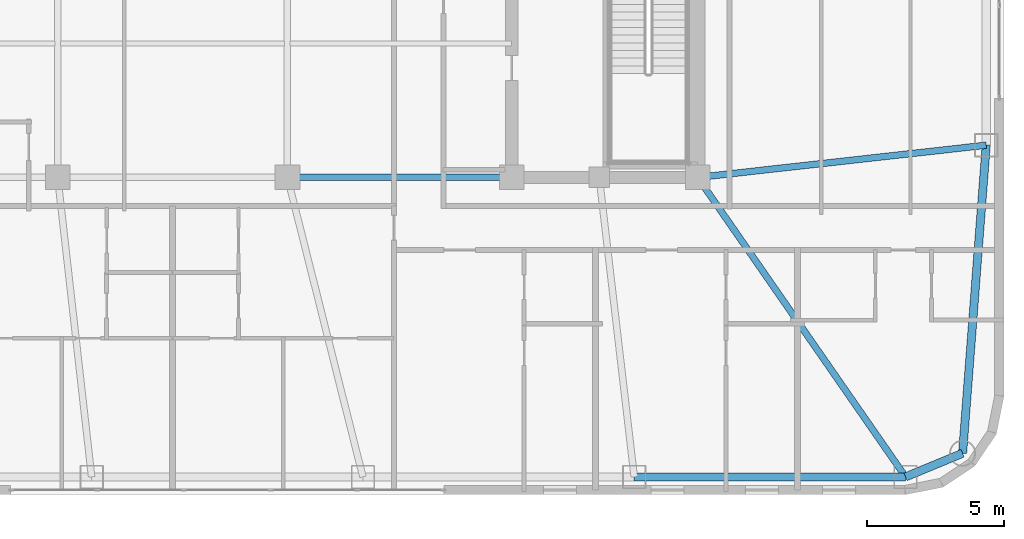
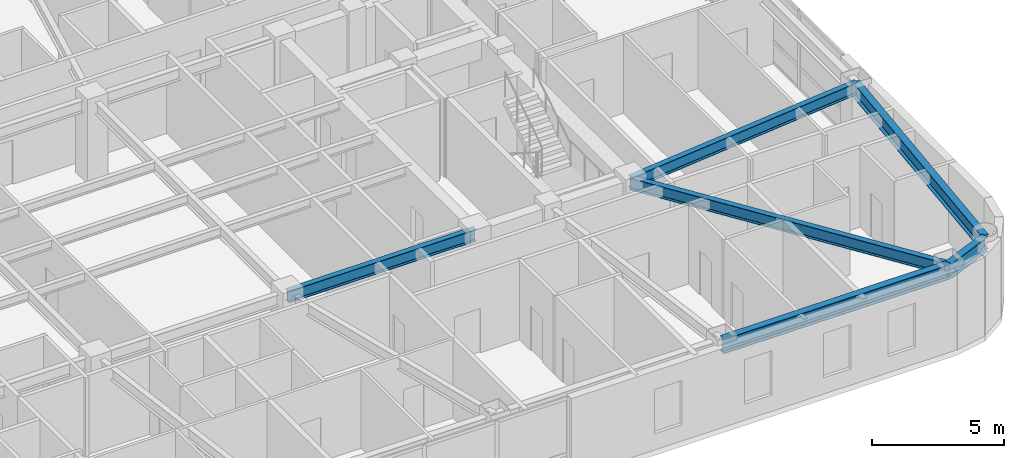
# One storey, part 10 of 29: 6 beams.
"""IFC4 building model written with IfcOpenShell, lengths in metres."""

from ifc_helpers import new_model, si_unit, direction, frame, origin, origin_2d, place, context, subcontext, project, spatial, i_section, extrude, material, material_profile, profile_set, type_object, element, save


model = new_model("IFC4")

# Units and contexts
model_context = context("Model", 3, precision=1e-05, world=origin(), true_north=direction((0.0, 1.0)))
body_context = subcontext(model_context, "Body", "Model", "MODEL_VIEW")
ifc_project = project(units=[si_unit("LENGTHUNIT", "METRE"), si_unit("AREAUNIT", "SQUARE_METRE"), si_unit("VOLUMEUNIT", "CUBIC_METRE"), si_unit("PLANEANGLEUNIT", "RADIAN"), si_unit("MASSUNIT", "GRAM", prefix="KILO")], contexts=[model_context])

# Site, building, storey
site_placement = place(None, origin())
site = spatial("IfcSite", under=ifc_project, at=site_placement, CompositionType="ELEMENT")
building_placement = place(site_placement, origin())
building = spatial("IfcBuilding", under=site, at=building_placement, Name="Voryun Gate Residences", CompositionType="ELEMENT")
storey_placement = place(building_placement, frame((0.0, 0.0, 211.89990234375)))
storey = spatial("IfcBuildingStorey", under=building, at=storey_placement, Name="L52", CompositionType="ELEMENT", Elevation=211.89990234375)

# Beams
ifc_material_1 = material(Name="Steel SM355", Category="steel")
ifc_material_profile_1 = material_profile(ifc_material_1, i_section(OverallWidth=0.300048828125, OverallDepth=0.679931640625, WebThickness=0.013916015625, FlangeThickness=0.02490234375, FilletRadius=0.01806640625, at=origin_2d()), Name="H-680x300x14x25")
ifc_profile_set_1 = profile_set([ifc_material_profile_1], Name="Steel SM355")
beam_type_1 = type_object("IfcBeamType", Name="BM_EXO_SPANDREL_M", PredefinedType="SPANDREL", material=ifc_profile_set_1)
beam_1_placement = place(storey_placement, frame((16.8798828125, -18.35009765625, 3.31005859375), z_axis=(1.0, 0.0, 0.0), x_axis=(0.0, 1.0, 0.0)))
element("IfcBeam", 1, at=beam_1_placement, inside=storey, type_object=beam_type_1, Name="BM-L52-SPAND-05", PredefinedType="SPANDREL", context=body_context, shape_type="SweptSolid", body=[
    extrude(i_section(OverallWidth=0.300048828125, OverallDepth=0.679931640625, WebThickness=0.013916015625, FlangeThickness=0.02490234375, FilletRadius=0.01806640625, at=origin_2d()), origin(), (0.0, 0.0, 1.0), 9.920166015625),
])
beam_2_placement = place(storey_placement, frame((26.800048828125, -18.35009765625, 3.31005859375), z_axis=(0.923881087602, 0.382679678022, 0.0), x_axis=(-0.382679678022, 0.923881087602, 0.0)))
element("IfcBeam", 2, at=beam_2_placement, inside=storey, type_object=beam_type_1, Name="BM-L52-SPAND-06", PredefinedType="SPANDREL", context=body_context, shape_type="SweptSolid", body=[
    extrude(i_section(OverallWidth=0.300048828125, OverallDepth=0.679931640625, WebThickness=0.013916015625, FlangeThickness=0.02490234375, FilletRadius=0.01806640625, at=origin_2d()), origin(), (0.0, 0.0, 1.0), 2.2578125),
])
beam_3_placement = place(storey_placement, frame((28.885986328125, -17.486083984375, 3.31005859375), z_axis=(0.076480009441, 0.997071114894, 0.0), x_axis=(-0.997071114894, 0.076480009441, 0.0)))
element("IfcBeam", 3, at=beam_3_placement, inside=storey, type_object=beam_type_1, Name="BM-L52-SPAND-07", PredefinedType="SPANDREL", context=body_context, shape_type="SweptSolid", body=[
    extrude(i_section(OverallWidth=0.300048828125, OverallDepth=0.679931640625, WebThickness=0.013916015625, FlangeThickness=0.02490234375, FilletRadius=0.01806640625, at=origin_2d()), origin(), (0.0, 0.0, 1.0), 11.29736328125),
])
ifc_material_2 = material(Name="Steel SM355", Category="steel")
ifc_material_profile_2 = material_profile(ifc_material_2, i_section(OverallWidth=0.239990234375, OverallDepth=0.550048828125, WebThickness=0.011962890625, FlangeThickness=0.02001953125, FilletRadius=0.01806640625, at=origin_2d()), Name="H-550x240x12x20")
ifc_profile_set_2 = profile_set([ifc_material_profile_2], Name="Steel SM355")
beam_type_2 = type_object("IfcBeamType", Name="BM_GIRD_550", PredefinedType="USERDEFINED", material=ifc_profile_set_2)
beam_4_placement = place(storey_placement, frame((4.199951171875, -7.39990234375, 3.375), z_axis=(1.0, 0.0, 0.0), x_axis=(0.0, 1.0, 0.0)))
element("IfcBeam", 4, at=beam_4_placement, inside=storey, type_object=beam_type_2, Name="BM-L52-SPG3-S", ObjectType="GIRDER", PredefinedType="USERDEFINED", context=body_context, shape_type="SweptSolid", body=[
    extrude(i_section(OverallWidth=0.239990234375, OverallDepth=0.550048828125, WebThickness=0.011962890625, FlangeThickness=0.02001953125, FilletRadius=0.01806640625, at=origin_2d()), origin(), (0.0, 0.0, 1.0), 8.199951171875),
])
beam_5_placement = place(storey_placement, frame((19.199951171875, -7.39990234375, 3.375), z_axis=(0.570182975489, -0.821517726201, 0.0), x_axis=(0.821517726201, 0.570182975489, 0.0)))
element("IfcBeam", 5, at=beam_5_placement, inside=storey, type_object=beam_type_2, Name="BM-L52-RAD-S6", ObjectType="GIRDER", PredefinedType="USERDEFINED", context=body_context, shape_type="SweptSolid", body=[
    extrude(i_section(OverallWidth=0.239990234375, OverallDepth=0.550048828125, WebThickness=0.011962890625, FlangeThickness=0.02001953125, FilletRadius=0.01806640625, at=origin_2d()), origin(), (0.0, 0.0, 1.0), 13.329345703125),
])
beam_6_placement = place(storey_placement, frame((19.199951171875, -7.39990234375, 3.375), z_axis=(0.993824131675, 0.110966640486, 0.0), x_axis=(-0.110966640486, 0.993824131675, 0.0)))
element("IfcBeam", 6, at=beam_6_placement, inside=storey, type_object=beam_type_2, Name="BM-L52-RAD-E1", ObjectType="GIRDER", PredefinedType="USERDEFINED", context=body_context, shape_type="SweptSolid", body=[
    extrude(i_section(OverallWidth=0.239990234375, OverallDepth=0.550048828125, WebThickness=0.011962890625, FlangeThickness=0.02001953125, FilletRadius=0.01806640625, at=origin_2d()), origin(), (0.0, 0.0, 1.0), 10.61572265625),
])

save(model, "model.ifc")
